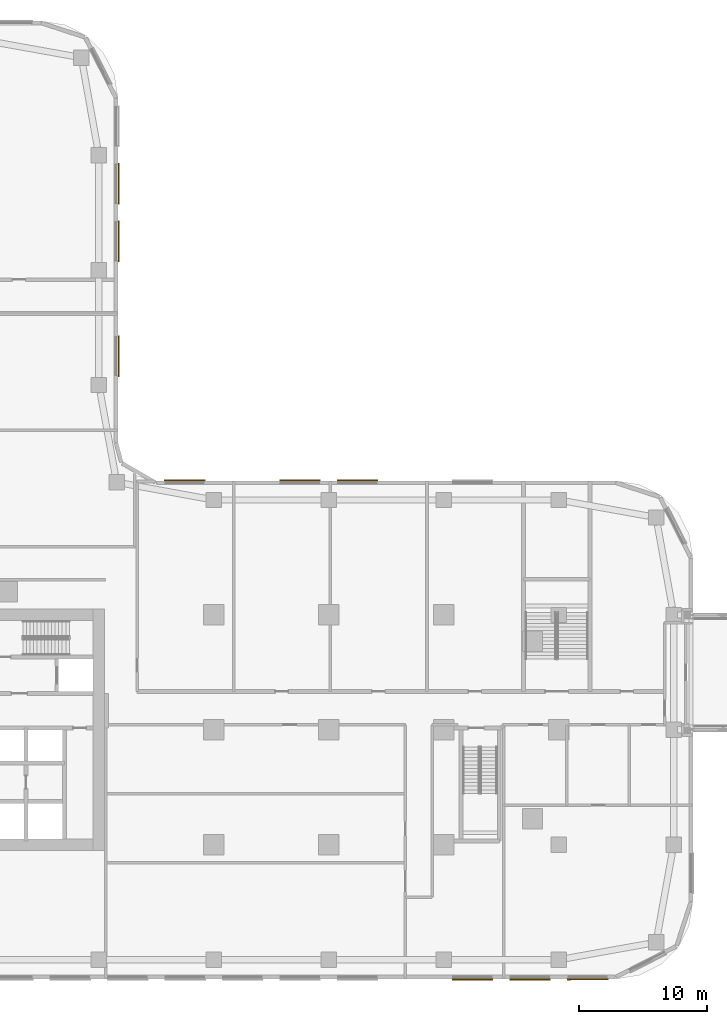
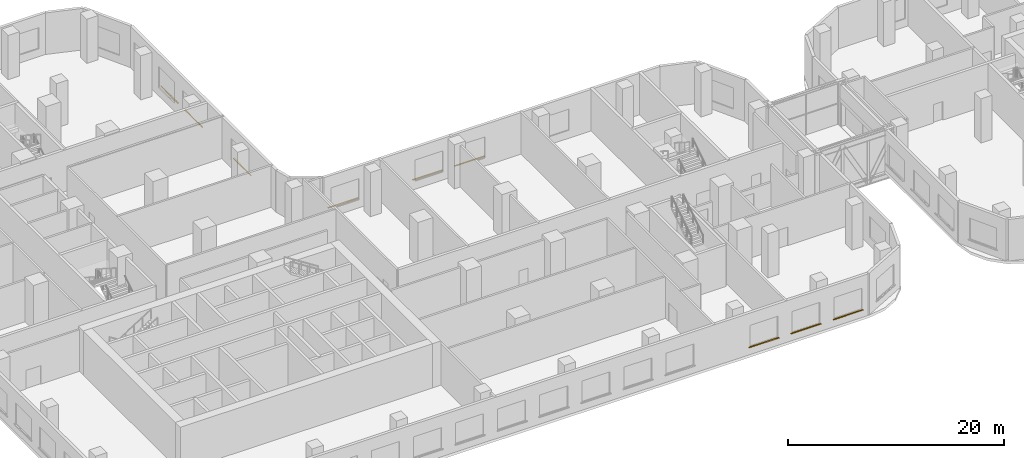
# One storey, part 29 of 35: 9 coverings.
"""IFC4 building model written with IfcOpenShell, lengths in metres."""

from ifc_helpers import new_model, si_unit, direction, frame, origin, origin_2d, place, context, subcontext, project, spatial, rectangle, extrude, material, layer, layer_set, type_object, element, save


model = new_model("IFC4")

# Units and contexts
model_context = context("Model", 3, precision=1e-05, world=origin(), true_north=direction((0.0, 1.0)))
body_context = subcontext(model_context, "Body", "Model", "MODEL_VIEW")
ifc_project = project(units=[si_unit("LENGTHUNIT", "METRE"), si_unit("AREAUNIT", "SQUARE_METRE"), si_unit("VOLUMEUNIT", "CUBIC_METRE"), si_unit("PLANEANGLEUNIT", "RADIAN"), si_unit("MASSUNIT", "GRAM", prefix="KILO")], contexts=[model_context])

# Site, building, storey
site_placement = place(None, origin())
site = spatial("IfcSite", under=ifc_project, at=site_placement, CompositionType="ELEMENT")
building_placement = place(site_placement, origin())
building = spatial("IfcBuilding", under=site, at=building_placement, Name="Ogive Portal Towers", CompositionType="ELEMENT")
storey_placement = place(building_placement, frame((0.0, 0.0, 18.5)))
storey = spatial("IfcBuildingStorey", under=building, at=storey_placement, Name="L03", CompositionType="ELEMENT", Elevation=18.5)

# Coverings
ifc_material = material(Name="Limestone cladding on lightweight block wall", Category="masonry")
ifc_layer = layer(ifc_material, 0.080078125)
ifc_layer_set = layer_set([ifc_layer], Name="STONE SILL 80")
covering_type = type_object("IfcCoveringType", Name="STONE SILL 80", PredefinedType="CLADDING", material=ifc_layer_set)
for number, where, z_axis, x_axis, name in (
    (1, (87.75, 10.9599609375, 0.840087890625), (0.0, 0.0, 1.0), (1.0, 0.0, 0.0), "Stone sill"),
    (2, (92.25, 10.9599609375, 0.840087890625), (0.0, 0.0, 1.0), (1.0, 0.0, 0.0), "Stone sill"),
    (3, (96.773681640625, 10.9599609375, 0.840087890625), (0.0, 0.0, 1.0), (1.0, 0.0, 0.0), "Stone sill"),
    (4, (78.75, 50.0400390625, 0.840087890625), (0.0, 0.0, 1.0), (-1.0, 0.0, 0.0), "Stone sill"),
    (5, (74.25, 50.0400390625, 0.840087890625), (0.0, 0.0, 1.0), (-1.0, 0.0, 0.0), "Stone sill"),
    (6, (65.226318359375, 50.0400390625, 0.840087890625), (0.0, 0.0, 1.0), (-1.0, 0.0, 0.0), "Stone sill"),
    (7, (60.0400390625, 59.75, 0.840087890625), (0.0, 0.0, 1.0), (0.0, 1.0, 0.0), "Stone sill"),
    (8, (60.0400390625, 68.75, 0.840087890625), (0.0, 0.0, 1.0), (0.0, 1.0, 0.0), "Stone sill"),
    (9, (60.0400390625, 73.25, 0.840087890625), (0.0, 0.0, 1.0), (0.0, 1.0, 0.0), "Stone sill"),
):
    element("IfcCovering", number, at=place(storey_placement, frame(where, z_axis=z_axis, x_axis=x_axis)), inside=storey, type_object=covering_type, Name=name, PredefinedType="CLADDING", context=body_context, shape_type="SweptSolid", body=[
        extrude(rectangle(XDim=3.199951171875, YDim=0.080078125, at=origin_2d()), origin(), (0.0, 0.0, 1.0), 0.06005859375),
    ])

save(model, "model.ifc")
